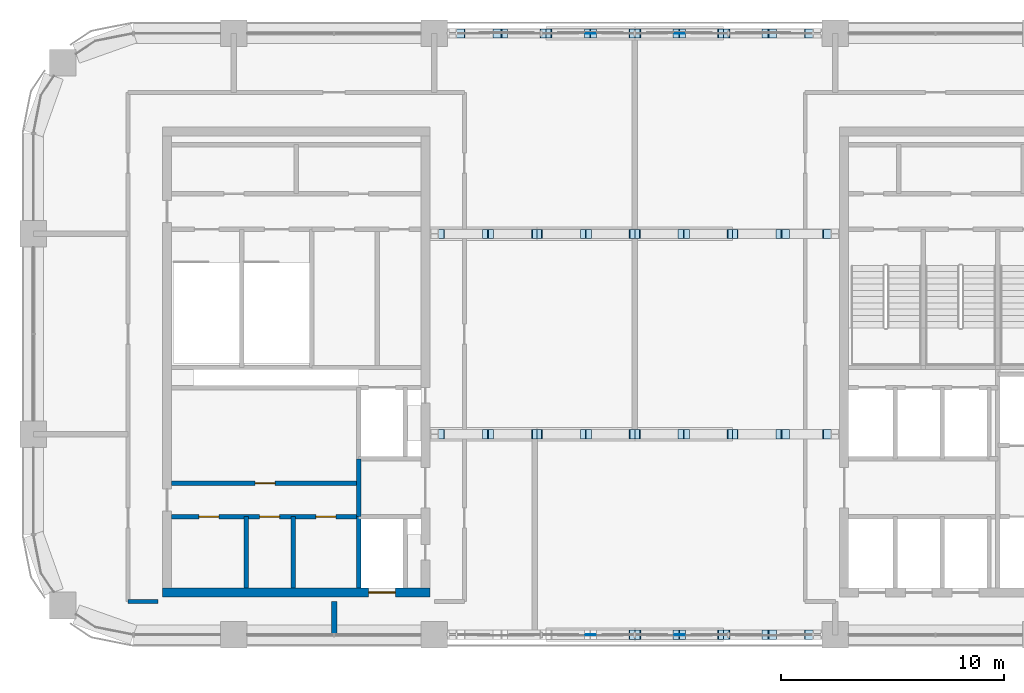
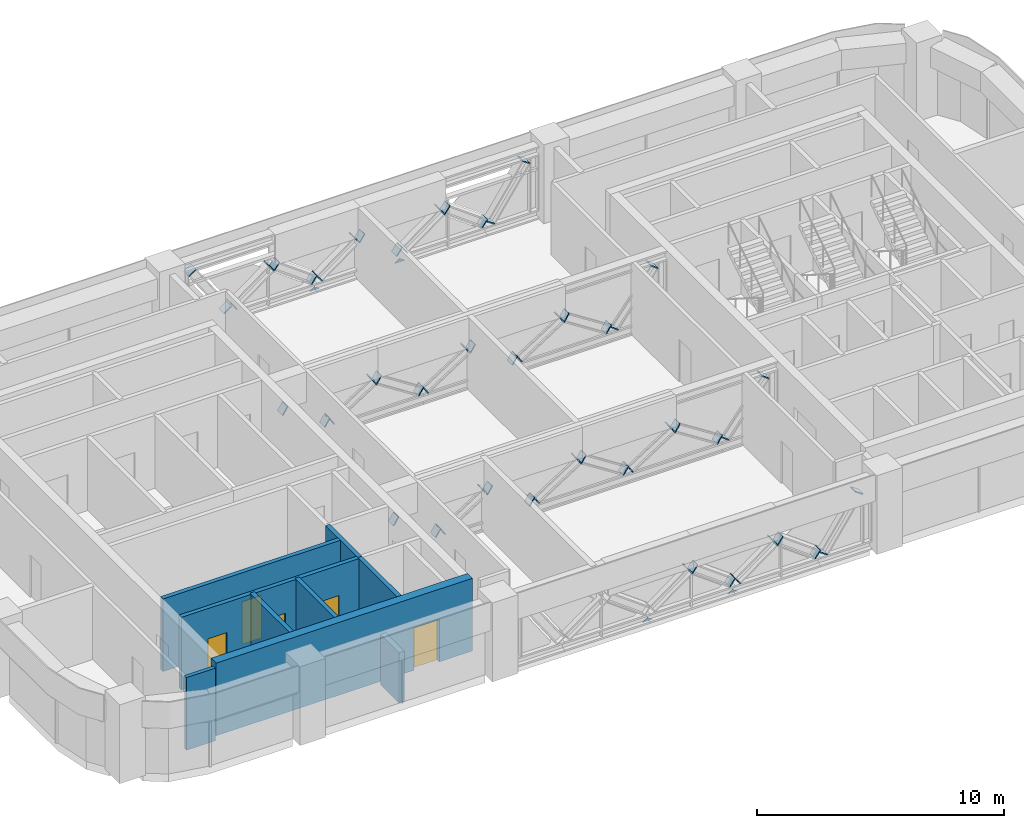
# One storey, part 8 of 12: 61 plates, 9 walls, 5 doors, 5 openings, 2 elements without a shape of their own.
"""IFC4 building model written with IfcOpenShell, lengths in metres."""

from ifc_helpers import new_model, si_unit, direction, frame, frame_2d, origin, origin_2d, place, context, subcontext, project, spatial, polyline, rectangle, outline, extrude, material, layer, layer_set, type_object, element, fill, aggregate, save


model = new_model("IFC4")

# Units and contexts
model_context = context("Model", 3, precision=1e-05, world=origin(), true_north=direction((0.0, 1.0)))
body_context = subcontext(model_context, "Body", "Model", "MODEL_VIEW")
ifc_project = project(units=[si_unit("LENGTHUNIT", "METRE"), si_unit("AREAUNIT", "SQUARE_METRE"), si_unit("VOLUMEUNIT", "CUBIC_METRE"), si_unit("PLANEANGLEUNIT", "RADIAN"), si_unit("MASSUNIT", "GRAM", prefix="KILO")], contexts=[model_context])

# Site, building, storey
site_placement = place(None, origin())
site = spatial("IfcSite", under=ifc_project, at=site_placement, CompositionType="ELEMENT")
building_placement = place(site_placement, origin())
building = spatial("IfcBuilding", under=site, at=building_placement, Name="Tessera Arch", CompositionType="ELEMENT")
storey_placement = place(building_placement, frame((0.0, 0.0, 230.60009765625)))
storey = spatial("IfcBuildingStorey", under=building, at=storey_placement, Name="L55", CompositionType="ELEMENT", Elevation=230.60009765625)

# Curtain wall, plates
ifc_material_1 = material(Name="CW4 curtain wall")
curtain_wall_type = type_object("IfcCurtainWallType", Name="CW4 curtain wall", PredefinedType="NOTDEFINED", material=ifc_material_1)
curtain_wall_1_placement = place(storey_placement, origin())
curtain_wall_1 = element("IfcCurtainWall", 1, at=curtain_wall_1_placement, inside=storey, type_object=curtain_wall_type, Name="CW4 curtain wall N54.0/2 L55", PredefinedType="NOTDEFINED")
ifc_material_2 = material(Name="Clear low-e glass", Category="glass")
ifc_material_3 = material(Name="Clear low-e glass", Category="glass")
ifc_layer_1 = layer(ifc_material_3, 0.028076171875)
ifc_layer_set_1 = layer_set([ifc_layer_1], Name="CW4 glass panel")
plate_type_1 = type_object("IfcPlateType", Name="CW4 glass panel", PredefinedType="CURTAIN_PANEL", material=ifc_layer_set_1)
plate_1_placement = place(storey_placement, frame((29.231689453125, 54.013916015625, 0.0), z_axis=(0.0, 1.0, 0.0), x_axis=(-1.0, 0.0, 0.0)))
plate_1 = element("IfcPlate", 2, at=plate_1_placement, type_object=plate_type_1, material=ifc_material_2, Name="CW4 fitted glass panel N54.0/2 5", PredefinedType="CURTAIN_PANEL", context=body_context, shape_type="SweptSolid", body=[
    extrude(outline(polyline([(0.0, 0.0), (0.4716796875, 0.0), (0.23583984375, 0.1728515625), (0.0, 0.0)])), origin(), (0.0, 0.0, -1.0), 0.028076171875),
])
plate_2_placement = place(storey_placement, frame((25.239990234375, 54.013916015625, 0.0), z_axis=(0.0, 1.0, 0.0), x_axis=(-1.0, 0.0, 0.0)))
plate_2 = element("IfcPlate", 3, at=plate_2_placement, type_object=plate_type_1, material=ifc_material_2, Name="CW4 fitted glass panel N54.0/2 9", PredefinedType="CURTAIN_PANEL", context=body_context, shape_type="SweptSolid", body=[
    extrude(outline(polyline([(0.0, 0.0), (0.4716796875, 0.0), (0.23583984375, 0.1728515625), (0.0, 0.0)])), origin(), (0.0, 0.0, -1.0), 0.028076171875),
])
aggregate(curtain_wall_1, [plate_1, plate_2])

curtain_wall_2_placement = place(storey_placement, origin())
curtain_wall_2 = element("IfcCurtainWall", 4, at=curtain_wall_2_placement, inside=storey, type_object=curtain_wall_type, Name="CW4 curtain wall S27.0/2 L55", PredefinedType="NOTDEFINED")
plate_3_placement = place(storey_placement, frame((24.768310546875, 26.986083984375, 0.0), z_axis=(0.0, -1.0, 0.0), x_axis=(1.0, 0.0, 0.0)))
plate_3 = element("IfcPlate", 5, at=plate_3_placement, type_object=plate_type_1, material=ifc_material_2, Name="CW4 fitted glass panel S27.0/2 5", PredefinedType="CURTAIN_PANEL", context=body_context, shape_type="SweptSolid", body=[
    extrude(outline(polyline([(0.0, 0.0), (0.4716796875, 0.0), (0.23583984375, 0.1728515625), (0.0, 0.0)])), origin(), (0.0, 0.0, -1.0), 0.028076171875),
])
plate_4_placement = place(storey_placement, frame((28.760009765625, 26.986083984375, 0.0), z_axis=(0.0, -1.0, 0.0), x_axis=(1.0, 0.0, 0.0)))
plate_4 = element("IfcPlate", 6, at=plate_4_placement, type_object=plate_type_1, material=ifc_material_2, Name="CW4 fitted glass panel S27.0/2 9", PredefinedType="CURTAIN_PANEL", context=body_context, shape_type="SweptSolid", body=[
    extrude(outline(polyline([(0.0, 0.0), (0.4716796875, 0.0), (0.23583984375, 0.1728515625), (0.0, 0.0)])), origin(), (0.0, 0.0, -1.0), 0.028076171875),
])
aggregate(curtain_wall_2, [plate_3, plate_4])

# Plates
ifc_material_4 = material(Name="Steel A572 Gr50", Category="steel")
ifc_layer_2 = layer(ifc_material_4, 0.050048828125)
ifc_layer_set_2 = layer_set([ifc_layer_2], Name="End plate W14x311")
plate_type_2 = type_object("IfcPlateType", Name="End plate W14x311", PredefinedType="SHEET", material=ifc_layer_set_2)
for number, where, z_axis, x_axis, name in (
    (7, (26.85693359375, 27.0, 1.9140625), (0.808104081218, 0.0, 0.589039721852), (0.0, 1.0, 0.0), "End plate Bridge truss diagonal 4 end 2"),
    (8, (27.1025390625, 27.0, 1.943603515625), (0.808104081218, 0.0, -0.589039721852), (0.0, 1.0, 0.0), "End plate Bridge truss diagonal 5 end 1"),
    (9, (28.852783203125, 27.0, 0.659912109375), (0.808104081218, 0.0, -0.589039721852), (0.0, 1.0, 0.0), "End plate Bridge truss diagonal 5 end 2"),
    (10, (29.098388671875, 27.0, 0.63037109375), (0.808104081218, 0.0, 0.589039721852), (0.0, 1.0, 0.0), "End plate Bridge truss diagonal 6 end 1"),
    (11, (30.8486328125, 27.0, 1.9140625), (0.806404995856, 0.0, 0.591363663628), (0.0, 1.0, 0.0), "End plate Bridge truss diagonal 6 end 2"),
    (12, (31.09423828125, 27.0, 1.943603515625), (0.806404995856, 0.0, -0.591363663628), (0.0, 1.0, 0.0), "End plate Bridge truss diagonal 7 end 1"),
    (13, (32.844482421875, 27.0, 0.659912109375), (0.806404995856, 0.0, -0.591363663628), (0.0, 1.0, 0.0), "End plate Bridge truss diagonal 7 end 2"),
):
    element("IfcPlate", number, at=place(storey_placement, frame(where, z_axis=z_axis, x_axis=x_axis)), inside=storey, type_object=plate_type_2, Name=name, PredefinedType="SHEET", context=body_context, shape_type="SweptSolid", body=[
        extrude(rectangle(XDim=0.411376953125, YDim=0.434326171875, at=origin_2d()), origin(), (0.0, 0.0, 1.0), 0.050048828125),
    ])
for number, where, z_axis, x_axis, name in (
    (14, (33.149169921875, 27.0, 0.56982421875), (0.562577605702, 0.0, 0.826744481423), (0.0, 1.0, 0.0), "End plate Bridge truss diagonal 8 end 1"),
    (15, (34.793701171875, 27.0, 2.98876953125), (0.562577605702, 0.0, 0.826744481423), (0.0, 1.0, 0.0), "End plate Bridge truss diagonal 8 end 2"),
):
    element("IfcPlate", number, at=place(storey_placement, frame(where, z_axis=z_axis, x_axis=x_axis)), inside=storey, type_object=plate_type_2, Name=name, PredefinedType="SHEET", context=body_context, shape_type="SweptSolid", body=[
        extrude(rectangle(XDim=0.411376953125, YDim=0.434326171875, at=origin_2d()), origin(), (0.0, 0.0, 1.0), 0.0498046875),
    ])
plate_5_placement = place(storey_placement, frame((18.30712890625, 36.0, 1.9345703125), z_axis=(0.840224854991, 0.0, -0.542238133163), x_axis=(0.0, 1.0, 0.0)))
element("IfcPlate", 16, at=plate_5_placement, inside=storey, type_object=plate_type_2, Name="End plate Bridge truss diagonal 1 end 1", PredefinedType="SHEET", context=body_context, shape_type="SweptSolid", body=[
    extrude(rectangle(XDim=0.411376953125, YDim=0.434326171875, at=origin_2d()), origin(), (0.0, 0.0, 1.0), 0.050048828125),
])
plate_6_placement = place(storey_placement, frame((20.27978515625, 36.0, 0.66650390625), z_axis=(0.84165236186, 0.0, -0.540019723506), x_axis=(0.0, 1.0, 0.0)))
element("IfcPlate", 17, at=plate_6_placement, inside=storey, type_object=plate_type_2, Name="End plate Bridge truss diagonal 1 end 2", PredefinedType="SHEET", context=body_context, shape_type="SweptSolid", body=[
    extrude(rectangle(XDim=0.411376953125, YDim=0.434326171875, at=origin_2d()), origin(), (0.0, 0.0, 1.0), 0.05029296875),
])
for number, where, z_axis, x_axis, name in (
    (18, (20.5029296875, 36.0, 0.639404296875), (0.840224854991, 0.0, 0.542238133163), (0.0, 1.0, 0.0), "End plate Bridge truss diagonal 2 end 1"),
    (19, (22.475830078125, 36.0, 1.907470703125), (0.840224854991, 0.0, 0.542238133163), (0.0, 1.0, 0.0), "End plate Bridge truss diagonal 2 end 2"),
    (20, (22.69873046875, 36.0, 1.9345703125), (0.840224854991, 0.0, -0.542238133163), (0.0, 1.0, 0.0), "End plate Bridge truss diagonal 3 end 1"),
    (21, (24.671630859375, 36.0, 0.66650390625), (0.840224854991, 0.0, -0.542238133163), (0.0, 1.0, 0.0), "End plate Bridge truss diagonal 3 end 2"),
):
    element("IfcPlate", number, at=place(storey_placement, frame(where, z_axis=z_axis, x_axis=x_axis)), inside=storey, type_object=plate_type_2, Name=name, PredefinedType="SHEET", context=body_context, shape_type="SweptSolid", body=[
        extrude(rectangle(XDim=0.411376953125, YDim=0.434326171875, at=origin_2d()), origin(), (0.0, 0.0, 1.0), 0.050048828125),
    ])
plate_7_placement = place(storey_placement, frame((24.89453125, 36.0, 0.639404296875), z_axis=(0.84165236186, 0.0, 0.540019723506), x_axis=(0.0, 1.0, 0.0)))
element("IfcPlate", 22, at=plate_7_placement, inside=storey, type_object=plate_type_2, Name="End plate Bridge truss diagonal 4 end 1", PredefinedType="SHEET", context=body_context, shape_type="SweptSolid", body=[
    extrude(rectangle(XDim=0.411376953125, YDim=0.434326171875, at=origin_2d()), origin(), (0.0, 0.0, 1.0), 0.05029296875),
])
for number, where, z_axis, x_axis, name in (
    (23, (26.867431640625, 36.0, 1.907470703125), (0.840224854991, 0.0, 0.542238133163), (0.0, 1.0, 0.0), "End plate Bridge truss diagonal 4 end 2"),
    (24, (27.090576171875, 36.0, 1.9345703125), (0.840224854991, 0.0, -0.542238133163), (0.0, 1.0, 0.0), "End plate Bridge truss diagonal 5 end 1"),
):
    element("IfcPlate", number, at=place(storey_placement, frame(where, z_axis=z_axis, x_axis=x_axis)), inside=storey, type_object=plate_type_2, Name=name, PredefinedType="SHEET", context=body_context, shape_type="SweptSolid", body=[
        extrude(rectangle(XDim=0.411376953125, YDim=0.434326171875, at=origin_2d()), origin(), (0.0, 0.0, 1.0), 0.050048828125),
    ])
plate_8_placement = place(storey_placement, frame((29.063232421875, 36.0, 0.66650390625), z_axis=(0.84165236186, 0.0, -0.540019723506), x_axis=(0.0, 1.0, 0.0)))
element("IfcPlate", 25, at=plate_8_placement, inside=storey, type_object=plate_type_2, Name="End plate Bridge truss diagonal 5 end 2", PredefinedType="SHEET", context=body_context, shape_type="SweptSolid", body=[
    extrude(rectangle(XDim=0.411376953125, YDim=0.434326171875, at=origin_2d()), origin(), (0.0, 0.0, 1.0), 0.05029296875),
])
for number, where, z_axis, x_axis, name in (
    (26, (29.286376953125, 36.0, 0.639404296875), (0.840224854991, 0.0, 0.542238133163), (0.0, 1.0, 0.0), "End plate Bridge truss diagonal 6 end 1"),
    (27, (31.25927734375, 36.0, 1.907470703125), (0.840224854991, 0.0, 0.542238133163), (0.0, 1.0, 0.0), "End plate Bridge truss diagonal 6 end 2"),
    (28, (31.482177734375, 36.0, 1.9345703125), (0.840224854991, 0.0, -0.542238133163), (0.0, 1.0, 0.0), "End plate Bridge truss diagonal 7 end 1"),
    (29, (33.455078125, 36.0, 0.66650390625), (0.840224854991, 0.0, -0.542238133163), (0.0, 1.0, 0.0), "End plate Bridge truss diagonal 7 end 2"),
    (30, (33.739501953125, 36.0, 0.58203125), (0.610890988674, 0.0, 0.791714721321), (0.0, 1.0, 0.0), "End plate Bridge truss diagonal 8 end 1"),
    (31, (35.600830078125, 36.0, 2.978271484375), (0.613940613515, 0.0, 0.789352217376), (0.0, 1.0, 0.0), "End plate Bridge truss diagonal 8 end 2"),
    (32, (18.30712890625, 45.0, 1.9345703125), (0.840224854991, 0.0, -0.542238133163), (0.0, 1.0, 0.0), "End plate Bridge truss diagonal 1 end 1"),
):
    element("IfcPlate", number, at=place(storey_placement, frame(where, z_axis=z_axis, x_axis=x_axis)), inside=storey, type_object=plate_type_2, Name=name, PredefinedType="SHEET", context=body_context, shape_type="SweptSolid", body=[
        extrude(rectangle(XDim=0.411376953125, YDim=0.434326171875, at=origin_2d()), origin(), (0.0, 0.0, 1.0), 0.050048828125),
    ])
plate_9_placement = place(storey_placement, frame((20.27978515625, 45.0, 0.66650390625), z_axis=(0.84165236186, 0.0, -0.540019723506), x_axis=(0.0, 1.0, 0.0)))
element("IfcPlate", 33, at=plate_9_placement, inside=storey, type_object=plate_type_2, Name="End plate Bridge truss diagonal 1 end 2", PredefinedType="SHEET", context=body_context, shape_type="SweptSolid", body=[
    extrude(rectangle(XDim=0.411376953125, YDim=0.434326171875, at=origin_2d()), origin(), (0.0, 0.0, 1.0), 0.05029296875),
])
for number, where, z_axis, x_axis, name in (
    (34, (20.5029296875, 45.0, 0.639404296875), (0.840224854991, 0.0, 0.542238133163), (0.0, 1.0, 0.0), "End plate Bridge truss diagonal 2 end 1"),
    (35, (22.475830078125, 45.0, 1.907470703125), (0.840224854991, 0.0, 0.542238133163), (0.0, 1.0, 0.0), "End plate Bridge truss diagonal 2 end 2"),
    (36, (22.69873046875, 45.0, 1.9345703125), (0.840224854991, 0.0, -0.542238133163), (0.0, 1.0, 0.0), "End plate Bridge truss diagonal 3 end 1"),
    (37, (24.671630859375, 45.0, 0.66650390625), (0.840224854991, 0.0, -0.542238133163), (0.0, 1.0, 0.0), "End plate Bridge truss diagonal 3 end 2"),
):
    element("IfcPlate", number, at=place(storey_placement, frame(where, z_axis=z_axis, x_axis=x_axis)), inside=storey, type_object=plate_type_2, Name=name, PredefinedType="SHEET", context=body_context, shape_type="SweptSolid", body=[
        extrude(rectangle(XDim=0.411376953125, YDim=0.434326171875, at=origin_2d()), origin(), (0.0, 0.0, 1.0), 0.050048828125),
    ])
plate_10_placement = place(storey_placement, frame((24.89453125, 45.0, 0.639404296875), z_axis=(0.84165236186, 0.0, 0.540019723506), x_axis=(0.0, 1.0, 0.0)))
element("IfcPlate", 38, at=plate_10_placement, inside=storey, type_object=plate_type_2, Name="End plate Bridge truss diagonal 4 end 1", PredefinedType="SHEET", context=body_context, shape_type="SweptSolid", body=[
    extrude(rectangle(XDim=0.411376953125, YDim=0.434326171875, at=origin_2d()), origin(), (0.0, 0.0, 1.0), 0.05029296875),
])
for number, where, z_axis, x_axis, name in (
    (39, (26.867431640625, 45.0, 1.907470703125), (0.840224854991, 0.0, 0.542238133163), (0.0, 1.0, 0.0), "End plate Bridge truss diagonal 4 end 2"),
    (40, (27.090576171875, 45.0, 1.9345703125), (0.840224854991, 0.0, -0.542238133163), (0.0, 1.0, 0.0), "End plate Bridge truss diagonal 5 end 1"),
):
    element("IfcPlate", number, at=place(storey_placement, frame(where, z_axis=z_axis, x_axis=x_axis)), inside=storey, type_object=plate_type_2, Name=name, PredefinedType="SHEET", context=body_context, shape_type="SweptSolid", body=[
        extrude(rectangle(XDim=0.411376953125, YDim=0.434326171875, at=origin_2d()), origin(), (0.0, 0.0, 1.0), 0.050048828125),
    ])
plate_11_placement = place(storey_placement, frame((29.063232421875, 45.0, 0.66650390625), z_axis=(0.84165236186, 0.0, -0.540019723506), x_axis=(0.0, 1.0, 0.0)))
element("IfcPlate", 41, at=plate_11_placement, inside=storey, type_object=plate_type_2, Name="End plate Bridge truss diagonal 5 end 2", PredefinedType="SHEET", context=body_context, shape_type="SweptSolid", body=[
    extrude(rectangle(XDim=0.411376953125, YDim=0.434326171875, at=origin_2d()), origin(), (0.0, 0.0, 1.0), 0.05029296875),
])
for number, where, z_axis, x_axis, name in (
    (42, (29.286376953125, 45.0, 0.639404296875), (0.840224854991, 0.0, 0.542238133163), (0.0, 1.0, 0.0), "End plate Bridge truss diagonal 6 end 1"),
    (43, (31.25927734375, 45.0, 1.907470703125), (0.840224854991, 0.0, 0.542238133163), (0.0, 1.0, 0.0), "End plate Bridge truss diagonal 6 end 2"),
    (44, (31.482177734375, 45.0, 1.9345703125), (0.840224854991, 0.0, -0.542238133163), (0.0, 1.0, 0.0), "End plate Bridge truss diagonal 7 end 1"),
    (45, (33.455078125, 45.0, 0.66650390625), (0.840224854991, 0.0, -0.542238133163), (0.0, 1.0, 0.0), "End plate Bridge truss diagonal 7 end 2"),
    (46, (33.739501953125, 45.0, 0.58203125), (0.610890988674, 0.0, 0.791714721321), (0.0, 1.0, 0.0), "End plate Bridge truss diagonal 8 end 1"),
    (47, (35.600830078125, 45.0, 2.978271484375), (0.613940613515, 0.0, 0.789352217376), (0.0, 1.0, 0.0), "End plate Bridge truss diagonal 8 end 2"),
):
    element("IfcPlate", number, at=place(storey_placement, frame(where, z_axis=z_axis, x_axis=x_axis)), inside=storey, type_object=plate_type_2, Name=name, PredefinedType="SHEET", context=body_context, shape_type="SweptSolid", body=[
        extrude(rectangle(XDim=0.411376953125, YDim=0.434326171875, at=origin_2d()), origin(), (0.0, 0.0, 1.0), 0.050048828125),
    ])
for number, where, z_axis, x_axis, name in (
    (48, (19.17822265625, 54.0, 3.030029296875), (0.562577605702, 0.0, -0.826744481423), (0.0, 1.0, 0.0), "End plate Bridge truss diagonal 1 end 1"),
    (49, (20.82275390625, 54.0, 0.611083984375), (0.562577605702, 0.0, -0.826744481423), (0.0, 1.0, 0.0), "End plate Bridge truss diagonal 1 end 2"),
):
    element("IfcPlate", number, at=place(storey_placement, frame(where, z_axis=z_axis, x_axis=x_axis)), inside=storey, type_object=plate_type_2, Name=name, PredefinedType="SHEET", context=body_context, shape_type="SweptSolid", body=[
        extrude(rectangle(XDim=0.411376953125, YDim=0.434326171875, at=origin_2d()), origin(), (0.0, 0.0, 1.0), 0.0498046875),
    ])
for number, where, z_axis, x_axis, name in (
    (50, (21.115234375, 54.0, 0.63037109375), (0.806404995856, 0.0, 0.591363663628), (0.0, 1.0, 0.0), "End plate Bridge truss diagonal 2 end 1"),
    (51, (22.865478515625, 54.0, 1.9140625), (0.806404995856, 0.0, 0.591363663628), (0.0, 1.0, 0.0), "End plate Bridge truss diagonal 2 end 2"),
    (52, (23.111083984375, 54.0, 1.943603515625), (0.806404995856, 0.0, -0.591363663628), (0.0, 1.0, 0.0), "End plate Bridge truss diagonal 3 end 1"),
    (53, (24.861083984375, 54.0, 0.659912109375), (0.808104081218, 0.0, -0.589039721852), (0.0, 1.0, 0.0), "End plate Bridge truss diagonal 3 end 2"),
    (54, (25.106689453125, 54.0, 0.63037109375), (0.808104081218, 0.0, 0.589039721852), (0.0, 1.0, 0.0), "End plate Bridge truss diagonal 4 end 1"),
    (55, (26.85693359375, 54.0, 1.9140625), (0.808104081218, 0.0, 0.589039721852), (0.0, 1.0, 0.0), "End plate Bridge truss diagonal 4 end 2"),
    (56, (27.1025390625, 54.0, 1.943603515625), (0.808104081218, 0.0, -0.589039721852), (0.0, 1.0, 0.0), "End plate Bridge truss diagonal 5 end 1"),
    (57, (28.852783203125, 54.0, 0.659912109375), (0.808104081218, 0.0, -0.589039721852), (0.0, 1.0, 0.0), "End plate Bridge truss diagonal 5 end 2"),
    (58, (29.098388671875, 54.0, 0.63037109375), (0.808104081218, 0.0, 0.589039721852), (0.0, 1.0, 0.0), "End plate Bridge truss diagonal 6 end 1"),
    (59, (30.8486328125, 54.0, 1.9140625), (0.806404995856, 0.0, 0.591363663628), (0.0, 1.0, 0.0), "End plate Bridge truss diagonal 6 end 2"),
    (60, (31.09423828125, 54.0, 1.943603515625), (0.806404995856, 0.0, -0.591363663628), (0.0, 1.0, 0.0), "End plate Bridge truss diagonal 7 end 1"),
    (61, (32.844482421875, 54.0, 0.659912109375), (0.806404995856, 0.0, -0.591363663628), (0.0, 1.0, 0.0), "End plate Bridge truss diagonal 7 end 2"),
):
    element("IfcPlate", number, at=place(storey_placement, frame(where, z_axis=z_axis, x_axis=x_axis)), inside=storey, type_object=plate_type_2, Name=name, PredefinedType="SHEET", context=body_context, shape_type="SweptSolid", body=[
        extrude(rectangle(XDim=0.411376953125, YDim=0.434326171875, at=origin_2d()), origin(), (0.0, 0.0, 1.0), 0.050048828125),
    ])
for number, where, z_axis, x_axis, name in (
    (62, (33.149169921875, 54.0, 0.56982421875), (0.562577605702, 0.0, 0.826744481423), (0.0, 1.0, 0.0), "End plate Bridge truss diagonal 8 end 1"),
    (63, (34.793701171875, 54.0, 2.98876953125), (0.562577605702, 0.0, 0.826744481423), (0.0, 1.0, 0.0), "End plate Bridge truss diagonal 8 end 2"),
):
    element("IfcPlate", number, at=place(storey_placement, frame(where, z_axis=z_axis, x_axis=x_axis)), inside=storey, type_object=plate_type_2, Name=name, PredefinedType="SHEET", context=body_context, shape_type="SweptSolid", body=[
        extrude(rectangle(XDim=0.411376953125, YDim=0.434326171875, at=origin_2d()), origin(), (0.0, 0.0, 1.0), 0.0498046875),
    ])

# Walls
ifc_material_5 = material(Name="Gypsum board on steel stud", Category="steel")
ifc_layer_3 = layer(ifc_material_5, 0.125)
ifc_layer_set_3 = layer_set([ifc_layer_3], Name="Core partition 125 EI 60")
wall_type_1 = type_object("IfcWallType", Name="Core partition 125 EI 60", PredefinedType="PARTITIONING", material=ifc_layer_set_3)
for number, where, z_axis, x_axis, name in (
    (64, (9.56005859375, 29.10009765625, 0.0), (0.0, 0.0, 1.0), (0.0, 1.0, 0.0), "L55 C2 partition wall 2"),
    (65, (11.659912109375, 29.10009765625, 0.0), (0.0, 0.0, 1.0), (0.0, 1.0, 0.0), "L55 C2 partition wall 3"),
):
    element("IfcWall", number, at=place(storey_placement, frame(where, z_axis=z_axis, x_axis=x_axis)), inside=storey, type_object=wall_type_1, Name=name, PredefinedType="PARTITIONING", context=body_context, shape_type="SweptSolid", body=[
        extrude(rectangle(XDim=3.199951171875, YDim=0.199951171875, at=frame_2d((1.60009765625, 0.0))), origin(), (0.0, 0.0, 1.0), 3.599853515625),
    ])
wall_1_placement = place(storey_placement, frame((14.60009765625, 32.300048828125, 0.0), z_axis=(0.0, 0.0, 1.0), x_axis=(0.0, 1.0, 0.0)))
element("IfcWall", 66, at=wall_1_placement, inside=storey, type_object=wall_type_1, Name="L55 C2 partition wall 6", PredefinedType="PARTITIONING", context=body_context, shape_type="SweptSolid", body=[
    extrude(rectangle(XDim=2.599853515625, YDim=0.199951171875, at=frame_2d((1.2998046875, 0.0))), origin(), (0.0, 0.0, 1.0), 3.599853515625),
])

# Wall, openings, doors
wall_2_placement = place(storey_placement, frame((6.199951171875, 32.300048828125, 0.0), z_axis=(0.0, 0.0, 1.0), x_axis=(1.0, 0.0, 0.0)))
wall_2 = element("IfcWall", 67, at=wall_2_placement, inside=storey, type_object=wall_type_1, Name="L55 C2 partition wall 12", PredefinedType="PARTITIONING", context=body_context, shape_type="SweptSolid", body=[
    extrude(rectangle(XDim=8.400146484375, YDim=0.199951171875, at=frame_2d((4.2001953125, 0.0))), origin(), (0.0, 0.0, 1.0), 3.599853515625),
])
opening_1_placement = place(wall_2_placement, frame((1.22998046875, 0.0, 0.0)))
opening_1 = element("IfcOpeningElement", 68, at=opening_1_placement, cuts=wall_2, Name="Opening L55-C34", PredefinedType="OPENING", context=body_context, shape_type="SweptSolid", body=[
    extrude(rectangle(XDim=0.89990234375, YDim=2.10009765625, at=frame_2d((0.449951171875, 1.050048828125))), frame((0.0, 0.10986328125, 0.0), z_axis=(0.0, -1.0, 0.0), x_axis=(1.0, 0.0, 0.0)), (0.0, 0.0, 1.0), 0.219970703125),
])
opening_2_placement = place(wall_2_placement, frame((3.9599609375, 0.0, 0.0)))
opening_2 = element("IfcOpeningElement", 69, at=opening_2_placement, cuts=wall_2, Name="Opening L55-C35", PredefinedType="OPENING", context=body_context, shape_type="SweptSolid", body=[
    extrude(rectangle(XDim=0.89990234375, YDim=2.10009765625, at=frame_2d((0.449951171875, 1.050048828125))), frame((0.0, 0.10986328125, 0.0), z_axis=(0.0, -1.0, 0.0), x_axis=(1.0, 0.0, 0.0)), (0.0, 0.0, 1.0), 0.219970703125),
])
opening_3_placement = place(wall_2_placement, frame((6.47998046875, 0.0, 0.0)))
opening_3 = element("IfcOpeningElement", 70, at=opening_3_placement, cuts=wall_2, Name="Opening L55-C36", PredefinedType="OPENING", context=body_context, shape_type="SweptSolid", body=[
    extrude(rectangle(XDim=0.89990234375, YDim=2.10009765625, at=frame_2d((0.449951171875, 1.050048828125))), frame((0.0, 0.10986328125, 0.0), z_axis=(0.0, -1.0, 0.0), x_axis=(1.0, 0.0, 0.0)), (0.0, 0.0, 1.0), 0.219970703125),
])
ifc_material_6 = material(Name="Steel door leaf", Category="steel")
door_type_1 = type_object("IfcDoorType", Name="Store door FD30S 900 x 2100", OperationType="SINGLE_SWING_LEFT", PredefinedType="DOOR", material=ifc_material_6)
door_1_placement = place(opening_1_placement, origin())
door_1 = element("IfcDoor", 71, at=door_1_placement, inside=storey, type_object=door_type_1, Name="L55 C2 door 14 C34 type D09", OperationType="SINGLE_SWING_LEFT", OverallHeight=2.10009765625, OverallWidth=0.89990234375, PredefinedType="DOOR", context=body_context, shape_type="SweptSolid", body=[
    extrude(rectangle(XDim=0.89990234375, YDim=2.10009765625, at=frame_2d((0.449951171875, 1.050048828125))), frame((0.0, 0.02490234375, 0.0), z_axis=(0.0, -1.0, 0.0), x_axis=(1.0, 0.0, 0.0)), (0.0, 0.0, 1.0), 0.050048828125),
])
fill(opening_1, door_1)
door_2_placement = place(opening_2_placement, origin())
door_2 = element("IfcDoor", 72, at=door_2_placement, inside=storey, type_object=door_type_1, Name="L55 C2 door 15 C35 type D09", OperationType="SINGLE_SWING_RIGHT", OverallHeight=2.10009765625, OverallWidth=0.89990234375, PredefinedType="DOOR", context=body_context, shape_type="SweptSolid", body=[
    extrude(rectangle(XDim=0.89990234375, YDim=2.10009765625, at=frame_2d((0.449951171875, 1.050048828125))), frame((0.0, 0.02490234375, 0.0), z_axis=(0.0, -1.0, 0.0), x_axis=(1.0, 0.0, 0.0)), (0.0, 0.0, 1.0), 0.050048828125),
])
fill(opening_2, door_2)
door_3_placement = place(opening_3_placement, origin())
door_3 = element("IfcDoor", 73, at=door_3_placement, inside=storey, type_object=door_type_1, Name="L55 C2 door 16 C36 type D09", OperationType="SINGLE_SWING_RIGHT", OverallHeight=2.10009765625, OverallWidth=0.89990234375, PredefinedType="DOOR", context=body_context, shape_type="SweptSolid", body=[
    extrude(rectangle(XDim=0.89990234375, YDim=2.10009765625, at=frame_2d((0.449951171875, 1.050048828125))), frame((0.0, 0.02490234375, 0.0), z_axis=(0.0, -1.0, 0.0), x_axis=(1.0, 0.0, 0.0)), (0.0, 0.0, 1.0), 0.050048828125),
])
fill(opening_3, door_3)

# Wall, opening, door
wall_3_placement = place(storey_placement, frame((6.199951171875, 33.800048828125, 0.0), z_axis=(0.0, 0.0, 1.0), x_axis=(1.0, 0.0, 0.0)))
wall_3 = element("IfcWall", 74, at=wall_3_placement, inside=storey, type_object=wall_type_1, Name="L55 C2 partition wall 14", PredefinedType="PARTITIONING", context=body_context, shape_type="SweptSolid", body=[
    extrude(rectangle(XDim=8.400146484375, YDim=0.199951171875, at=frame_2d((4.2001953125, 0.0))), origin(), (0.0, 0.0, 1.0), 3.599853515625),
])
opening_4_placement = place(wall_3_placement, frame((3.75, 0.0, 0.0)))
opening_4 = element("IfcOpeningElement", 75, at=opening_4_placement, cuts=wall_3, Name="Opening L55-C37", PredefinedType="OPENING", context=body_context, shape_type="SweptSolid", body=[
    extrude(rectangle(XDim=0.89990234375, YDim=2.10009765625, at=frame_2d((0.449951171875, 1.050048828125))), frame((0.0, 0.10986328125, 0.0), z_axis=(0.0, -1.0, 0.0), x_axis=(1.0, 0.0, 0.0)), (0.0, 0.0, 1.0), 0.219970703125),
])
door_4_placement = place(opening_4_placement, origin())
door_4 = element("IfcDoor", 76, at=door_4_placement, inside=storey, type_object=door_type_1, Name="L55 C2 door 17 C37 type D09", OperationType="SINGLE_SWING_RIGHT", OverallHeight=2.10009765625, OverallWidth=0.89990234375, PredefinedType="DOOR", context=body_context, shape_type="SweptSolid", body=[
    extrude(rectangle(XDim=0.89990234375, YDim=2.10009765625, at=frame_2d((0.449951171875, 1.050048828125))), frame((0.0, 0.02490234375, 0.0), z_axis=(0.0, -1.0, 0.0), x_axis=(1.0, 0.0, 0.0)), (0.0, 0.0, 1.0), 0.050048828125),
])
fill(opening_4, door_4)

ifc_material_7 = material(Name="Concrete C50/60", Category="concrete")
ifc_layer_4 = layer(ifc_material_7, 0.39990234375)
ifc_layer_set_4 = layer_set([ifc_layer_4], Name="Core shell wall 400 C50-60")
wall_type_2 = type_object("IfcWallType", Name="Core shell wall 400 C50-60", PredefinedType="SHEAR", material=ifc_layer_set_4)
wall_4_placement = place(storey_placement, frame((5.800048828125, 28.89990234375, 0.0), z_axis=(0.0, 0.0, 1.0), x_axis=(1.0, 0.0, 0.0)))
wall_4 = element("IfcWall", 77, at=wall_4_placement, inside=storey, type_object=wall_type_2, Name="L55 C2 core wall S", PredefinedType="SHEAR", context=body_context, shape_type="SweptSolid", body=[
    extrude(rectangle(XDim=12.0, YDim=0.39990234375, at=frame_2d((6.0, 0.0))), origin(), (0.0, 0.0, 1.0), 3.599853515625),
])
opening_5_placement = place(wall_4_placement, frame((9.25, 0.0, 0.0)))
opening_5 = element("IfcOpeningElement", 78, at=opening_5_placement, cuts=wall_4, Name="Opening L55-C21", PredefinedType="OPENING", context=body_context, shape_type="SweptSolid", body=[
    extrude(rectangle(XDim=1.199951171875, YDim=2.10009765625, at=frame_2d((0.60009765625, 1.050048828125))), frame((0.0, 0.2099609375, 0.0), z_axis=(0.0, -1.0, 0.0), x_axis=(1.0, 0.0, 0.0)), (0.0, 0.0, 1.0), 0.419921875),
])
ifc_material_8 = material(Name="Stainless steel AISI 304", Category="steel")
door_type_2 = type_object("IfcDoorType", Name="Sliding landing door 1200 x 2100", OperationType="SLIDING_TO_LEFT", PredefinedType="DOOR", material=ifc_material_8)
door_5_placement = place(opening_5_placement, origin())
door_5 = element("IfcDoor", 79, at=door_5_placement, inside=storey, type_object=door_type_2, Name="L55 HR7 lift landing door C21 type LD", OperationType="SLIDING_TO_LEFT", OverallHeight=2.10009765625, OverallWidth=1.199951171875, PredefinedType="DOOR", context=body_context, shape_type="SweptSolid", body=[
    extrude(rectangle(XDim=1.199951171875, YDim=2.10009765625, at=frame_2d((0.60009765625, 1.050048828125))), frame((0.0, 0.02490234375, 0.0), z_axis=(0.0, -1.0, 0.0), x_axis=(1.0, 0.0, 0.0)), (0.0, 0.0, 1.0), 0.050048828125),
])
fill(opening_5, door_5)

# Walls
ifc_material_9 = material(Name="Gypsum board on deep steel stud with mineral wool", Category="steel")
ifc_layer_5 = layer(ifc_material_9, 0.175048828125)
ifc_layer_set_5 = layer_set([ifc_layer_5], Name="Corridor wall 175 EI 60")
wall_type_3 = type_object("IfcWallType", Name="Corridor wall 175 EI 60", PredefinedType="PARTITIONING", material=ifc_layer_set_5)
wall_5_placement = place(storey_placement, frame((4.25, 28.5, 0.0), z_axis=(0.0, 0.0, 1.0), x_axis=(1.0, 0.0, 0.0)))
element("IfcWall", 80, at=wall_5_placement, inside=storey, type_object=wall_type_3, Name="L55 partition 1", PredefinedType="PARTITIONING", context=body_context, shape_type="SweptSolid", body=[
    extrude(rectangle(XDim=1.35009765625, YDim=0.175048828125, at=frame_2d((0.675048828125, 0.0))), origin(), (0.0, 0.0, 1.0), 3.599853515625),
])
ifc_material_10 = material(Name="Double gypsum board on twin steel stud with acoustic mineral wool", Category="steel")
ifc_layer_6 = layer(ifc_material_10, 0.25)
ifc_layer_set_6 = layer_set([ifc_layer_6], Name="Party wall 250 EI 60")
wall_type_4 = type_object("IfcWallType", Name="Party wall 250 EI 60", PredefinedType="PARTITIONING", material=ifc_layer_set_6)
wall_6_placement = place(storey_placement, frame((13.5, 27.0, 0.0), z_axis=(0.0, 0.0, 1.0), x_axis=(0.0, 1.0, 0.0)))
element("IfcWall", 81, at=wall_6_placement, inside=storey, type_object=wall_type_4, Name="L55 partition 18", PredefinedType="PARTITIONING", context=body_context, shape_type="SweptSolid", body=[
    extrude(rectangle(XDim=1.5, YDim=0.25, at=frame_2d((0.75, 0.0))), origin(), (0.0, 0.0, 1.0), 2.489990234375),
])
ifc_material_11 = material(Name="Concrete C40/50", Category="concrete")
ifc_layer_7 = layer(ifc_material_11, 0.199951171875)
ifc_layer_set_7 = layer_set([ifc_layer_7], Name="Shaft wall 200 EI 120")
wall_type_5 = type_object("IfcWallType", Name="Shaft wall 200 EI 120", PredefinedType="SOLIDWALL", material=ifc_layer_set_7)
wall_7_placement = place(storey_placement, frame((14.60009765625, 29.10009765625, 0.0), z_axis=(0.0, 0.0, 1.0), x_axis=(0.0, 1.0, 0.0)))
element("IfcWall", 82, at=wall_7_placement, inside=storey, type_object=wall_type_5, Name="L55 C2 shaft wall 7", PredefinedType="SOLIDWALL", context=body_context, shape_type="SweptSolid", body=[
    extrude(rectangle(XDim=3.199951171875, YDim=0.199951171875, at=frame_2d((1.60009765625, 0.0))), origin(), (0.0, 0.0, 1.0), 3.599853515625),
])

save(model, "model.ifc")
